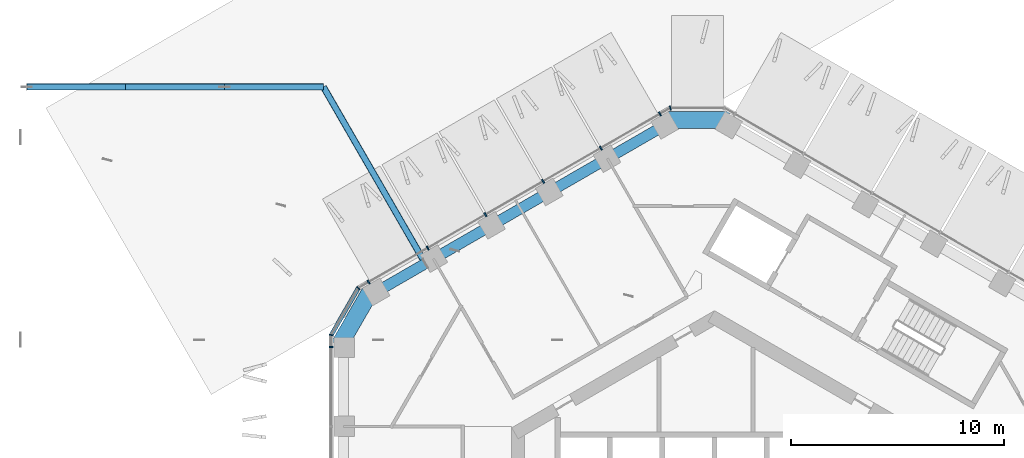
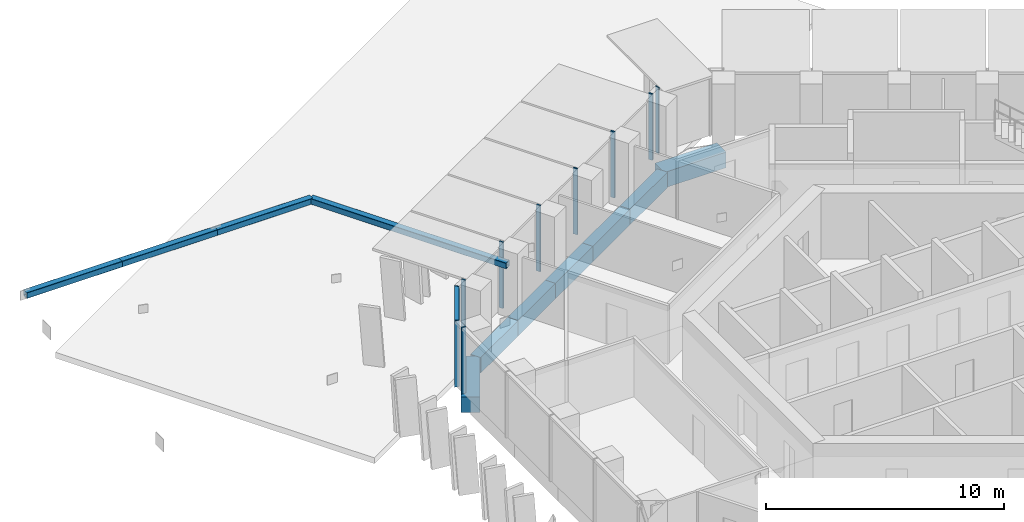
# One storey, part 4 of 23: 15 members, 7 beams, 4 elements without a shape of their own.
"""IFC4 building model written with IfcOpenShell, lengths in metres."""

from ifc_helpers import new_model, si_unit, direction, frame, origin, origin_2d, place, context, subcontext, project, spatial, rectangle, hollow_rectangle, extrude, material, layer, layer_set, material_profile, profile_set, type_object, element, aggregate, save


model = new_model("IFC4")

# Units and contexts
model_context = context("Model", 3, precision=1e-05, world=origin(), true_north=direction((0.0, 1.0)))
body_context = subcontext(model_context, "Body", "Model", "MODEL_VIEW")
ifc_project = project(units=[si_unit("LENGTHUNIT", "METRE"), si_unit("AREAUNIT", "SQUARE_METRE"), si_unit("VOLUMEUNIT", "CUBIC_METRE"), si_unit("PLANEANGLEUNIT", "RADIAN"), si_unit("MASSUNIT", "GRAM", prefix="KILO")], contexts=[model_context])

# Site, building, storey
site_placement = place(None, origin())
site = spatial("IfcSite", under=ifc_project, at=site_placement, CompositionType="ELEMENT")
building_placement = place(site_placement, origin())
building = spatial("IfcBuilding", under=site, at=building_placement, Name="Ayvan Gate Tower", CompositionType="ELEMENT")
storey_placement = place(building_placement, frame((0.0, 0.0, 198.699951171875)))
storey = spatial("IfcBuildingStorey", under=building, at=storey_placement, Name="L53", CompositionType="ELEMENT", Elevation=198.699951171875)

# Beams
ifc_material_1 = material(Name="Concrete C40/50", Category="concrete")
ifc_material_profile_1 = material_profile(ifc_material_1, rectangle(XDim=0.800048828125, YDim=0.800048828125, at=origin_2d()), Name="RC 800x800")
ifc_profile_set_1 = profile_set([ifc_material_profile_1], Name="Concrete C40/50")
beam_type_1 = type_object("IfcBeamType", Name="Corner spandrel beam RC 800x800 C40/50", PredefinedType="BEAM", material=ifc_profile_set_1)
for number, where, z_axis, x_axis, name in (
    (1, (0.710205078125, 19.89794921875, -0.75), (-1.0, 0.0, 0.0), (0.0, -1.0, 0.0), "SB-L53-12"),
    (2, (-16.087158203125, 11.93212890625, -0.75), (-0.499990139034, -0.866031096941, 0.0), (0.866031096941, -0.499990139034, 0.0), "SB-L53-18"),
):
    element("IfcBeam", number, at=place(storey_placement, frame(where, z_axis=z_axis, x_axis=x_axis)), inside=storey, type_object=beam_type_1, Name=name, PredefinedType="BEAM", context=body_context, shape_type="SweptSolid", body=[
        extrude(rectangle(XDim=0.800048828125, YDim=0.800048828125, at=origin_2d()), origin(), (0.0, 0.0, 1.0), 3.0),
    ])

# Members
ifc_material_2 = material(Name="Steel S460NH", Category="steel")
ifc_material_profile_2 = material_profile(ifc_material_2, hollow_rectangle(XDim=0.300048828125, YDim=0.300048828125, WallThickness=0.01611328125, InnerFilletRadius=0.01611328125, OuterFilletRadius=0.02392578125, at=origin_2d()), Name="RHS 300x300x16")
ifc_profile_set_2 = profile_set([ifc_material_profile_2], Name="Steel S460NH")
member_type_1 = type_object("IfcMemberType", Name="Sky bar truss brace B5 RHS 300x300x16", PredefinedType="BRACE", material=ifc_profile_set_2)
member_1_placement = place(storey_placement, frame((-13.546142578125, 13.17919921875, 2.699951171875), z_axis=(-0.499999627798, 0.866025618675, 0.0), x_axis=(-0.866025618675, -0.499999627798, 0.0)))
element("IfcMember", 3, at=member_1_placement, inside=storey, type_object=member_type_1, Name="SBX5-B-BC-1", PredefinedType="CHORD", context=body_context, shape_type="SweptSolid", body=[
    extrude(hollow_rectangle(XDim=0.300048828125, YDim=0.300048828125, WallThickness=0.01611328125, InnerFilletRadius=0.01611328125, OuterFilletRadius=0.02392578125, at=origin_2d()), origin(), (0.0, 0.0, 1.0), 9.55615234375),
])
for number, where, z_axis, x_axis, name in (
    (4, (-18.32421875, 21.455078125, 2.699951171875), (-1.0, 0.0, 0.0), (0.0, -1.0, 0.0), "SBX5-B-BC-2"),
    (5, (-22.95751953125, 21.455078125, 2.699951171875), (-1.0, 0.0, 0.0), (0.0, -1.0, 0.0), "SBX5-B-BC-3"),
):
    element("IfcMember", number, at=place(storey_placement, frame(where, z_axis=z_axis, x_axis=x_axis)), inside=storey, type_object=member_type_1, Name=name, PredefinedType="CHORD", context=body_context, shape_type="SweptSolid", body=[
        extrude(hollow_rectangle(XDim=0.300048828125, YDim=0.300048828125, WallThickness=0.01611328125, InnerFilletRadius=0.01611328125, OuterFilletRadius=0.02392578125, at=origin_2d()), origin(), (0.0, 0.0, 1.0), 4.63330078125),
    ])
member_2_placement = place(storey_placement, frame((-27.5908203125, 21.455078125, 2.699951171875), z_axis=(-1.0, 0.0, 0.0), x_axis=(0.0, -1.0, 0.0)))
element("IfcMember", 6, at=member_2_placement, inside=storey, type_object=member_type_1, Name="SBX5-B-BC-4", PredefinedType="CHORD", context=body_context, shape_type="SweptSolid", body=[
    extrude(hollow_rectangle(XDim=0.300048828125, YDim=0.300048828125, WallThickness=0.01611328125, InnerFilletRadius=0.01611328125, OuterFilletRadius=0.02392578125, at=origin_2d()), origin(), (0.0, 0.0, 1.0), 4.633544921875),
])

# Beams
ifc_material_profile_3 = material_profile(ifc_material_1, rectangle(XDim=0.5, YDim=0.800048828125, at=origin_2d()), Name="RC 500x800")
ifc_profile_set_3 = profile_set([ifc_material_profile_3], Name="Concrete C40/50")
beam_type_2 = type_object("IfcBeamType", Name="Spandrel beam RC 500x800 C40/50", PredefinedType="BEAM", material=ifc_profile_set_3)
beam_1_placement = place(storey_placement, frame((-2.289794921875, 19.677978515625, -0.75), z_axis=(-0.866016100244, -0.500016113858, 0.0), x_axis=(0.500016113858, -0.866016100244, 0.0)))
element("IfcBeam", 7, at=beam_1_placement, inside=storey, type_object=beam_type_2, Name="SB-L53-13", PredefinedType="BEAM", context=body_context, shape_type="SweptSolid", body=[
    extrude(rectangle(XDim=0.5, YDim=0.800048828125, at=origin_2d()), origin(), (0.0, 0.0, 1.0), 3.142578125),
])
for number, where, z_axis, x_axis, name in (
    (8, (-5.01123046875, 18.106689453125, -0.75), (-0.866049741291, -0.499957843833, 0.0), (0.499957843833, -0.866049741291, 0.0), "SB-L53-14"),
    (9, (-7.732666015625, 16.53564453125, -0.75), (-0.865996674405, -0.500049757444, 0.0), (0.500049757444, -0.865996674405, 0.0), "SB-L53-15"),
    (10, (-10.453857421875, 14.96435546875, -0.75), (-0.866049741291, -0.499957843833, 0.0), (0.499957843833, -0.866049741291, 0.0), "SB-L53-16"),
):
    element("IfcBeam", number, at=place(storey_placement, frame(where, z_axis=z_axis, x_axis=x_axis)), inside=storey, type_object=beam_type_2, Name=name, PredefinedType="BEAM", context=body_context, shape_type="SweptSolid", body=[
        extrude(rectangle(XDim=0.5, YDim=0.800048828125, at=origin_2d()), origin(), (0.0, 0.0, 1.0), 3.142333984375),
    ])
beam_2_placement = place(storey_placement, frame((-13.17529296875, 13.393310546875, -0.75), z_axis=(-0.866016100244, -0.500016113858, 0.0), x_axis=(0.500016113858, -0.866016100244, 0.0)))
element("IfcBeam", 11, at=beam_2_placement, inside=storey, type_object=beam_type_2, Name="SB-L53-17", PredefinedType="BEAM", context=body_context, shape_type="SweptSolid", body=[
    extrude(rectangle(XDim=0.5, YDim=0.800048828125, at=origin_2d()), origin(), (0.0, 0.0, 1.0), 3.142578125),
])

# Curtain wall, members
ifc_material_3 = material(Name="Bronze anodised aluminium", Category="aluminium")
ifc_layer_1 = layer(ifc_material_3, 0.199951171875)
ifc_layer_set_1 = layer_set([ifc_layer_1], Name="Bronze anodised aluminium")
curtain_wall_type_1 = type_object("IfcCurtainWallType", Name="Stick curtain wall CW-2", PredefinedType="NOTDEFINED", material=ifc_layer_set_1)
curtain_wall_1_placement = place(storey_placement, origin())
curtain_wall_1 = element("IfcCurtainWall", 12, at=curtain_wall_1_placement, inside=storey, type_object=curtain_wall_type_1, Name="Stick curtain wall CW-2 L53", PredefinedType="NOTDEFINED")
ifc_material_profile_4 = material_profile(ifc_material_3, rectangle(XDim=0.199951171875, YDim=0.070068359375, at=origin_2d()), Name="Stick curtain wall CW-2 mullion 200 x 70")
ifc_profile_set_4 = profile_set([ifc_material_profile_4], Name="Bronze anodised aluminium")
member_type_2 = type_object("IfcMemberType", Name="Stick curtain wall CW-2 mullion 200 x 70", PredefinedType="MULLION", material=ifc_profile_set_4)
member_3_placement = place(storey_placement, frame((-2.55517578125, 20.188720703125, 0.0), z_axis=(0.0, 0.0, 1.0), x_axis=(-0.5, 0.866025403784, 0.0)))
member_3 = element("IfcMember", 13, at=member_3_placement, type_object=member_type_2, Name="CW-2 mullion 1", PredefinedType="MULLION", context=body_context, shape_type="SweptSolid", body=[
    extrude(rectangle(XDim=0.199951171875, YDim=0.070068359375, at=origin_2d()), origin(), (0.0, 0.0, 1.0), 3.400146484375),
])
member_4_placement = place(storey_placement, frame((-5.32470703125, 18.589599609375, 0.0), z_axis=(0.0, 0.0, 1.0), x_axis=(-0.5, 0.866025403784, 0.0)))
member_4 = element("IfcMember", 14, at=member_4_placement, type_object=member_type_2, Name="CW-2 mullion 2", PredefinedType="MULLION", context=body_context, shape_type="SweptSolid", body=[
    extrude(rectangle(XDim=0.199951171875, YDim=0.070068359375, at=origin_2d()), origin(), (0.0, 0.0, 1.0), 3.400146484375),
])
member_5_placement = place(storey_placement, frame((-8.028564453125, 17.02880859375, 0.0), z_axis=(0.0, 0.0, 1.0), x_axis=(-0.5, 0.866025403784, 0.0)))
member_5 = element("IfcMember", 15, at=member_5_placement, type_object=member_type_2, Name="CW-2 mullion 3", PredefinedType="MULLION", context=body_context, shape_type="SweptSolid", body=[
    extrude(rectangle(XDim=0.199951171875, YDim=0.070068359375, at=origin_2d()), origin(), (0.0, 0.0, 1.0), 3.400146484375),
])
member_6_placement = place(storey_placement, frame((-10.733154296875, 15.46728515625, 0.0), z_axis=(0.0, 0.0, 1.0), x_axis=(-0.5, 0.866025403784, 0.0)))
member_6 = element("IfcMember", 16, at=member_6_placement, type_object=member_type_2, Name="CW-2 mullion 4", PredefinedType="MULLION", context=body_context, shape_type="SweptSolid", body=[
    extrude(rectangle(XDim=0.199951171875, YDim=0.070068359375, at=origin_2d()), origin(), (0.0, 0.0, 1.0), 3.400146484375),
])
member_7_placement = place(storey_placement, frame((-13.436767578125, 13.90625, 0.0), z_axis=(0.0, 0.0, 1.0), x_axis=(-0.5, 0.866025403784, 0.0)))
member_7 = element("IfcMember", 17, at=member_7_placement, type_object=member_type_2, Name="CW-2 mullion 5", PredefinedType="MULLION", context=body_context, shape_type="SweptSolid", body=[
    extrude(rectangle(XDim=0.199951171875, YDim=0.070068359375, at=origin_2d()), origin(), (0.0, 0.0, 1.0), 3.400146484375),
])
member_8_placement = place(storey_placement, frame((-16.206298828125, 12.30712890625, 0.0), z_axis=(0.0, 0.0, 1.0), x_axis=(-0.5, 0.866025403784, 0.0)))
member_8 = element("IfcMember", 18, at=member_8_placement, type_object=member_type_2, Name="CW-2 mullion 6", PredefinedType="MULLION", context=body_context, shape_type="SweptSolid", body=[
    extrude(rectangle(XDim=0.199951171875, YDim=0.070068359375, at=origin_2d()), origin(), (0.0, 0.0, 1.0), 3.400146484375),
])
aggregate(curtain_wall_1, [member_3, member_4, member_5, member_6, member_7, member_8])

# Curtain wall, member
curtain_wall_2_placement = place(storey_placement, origin())
curtain_wall_2 = element("IfcCurtainWall", 19, at=curtain_wall_2_placement, inside=storey, type_object=curtain_wall_type_1, Name="Stick curtain wall CW-2 L53", PredefinedType="NOTDEFINED")
member_9_placement = place(storey_placement, frame((-17.95849609375, 9.272216796875, 0.0), z_axis=(0.0, 0.0, 1.0), x_axis=(-1.0, 0.0, 0.0)))
member_9 = element("IfcMember", 20, at=member_9_placement, type_object=member_type_2, Name="CW-2 mullion 1", PredefinedType="MULLION", context=body_context, shape_type="SweptSolid", body=[
    extrude(rectangle(XDim=0.199951171875, YDim=0.070068359375, at=origin_2d()), origin(), (0.0, 0.0, 1.0), 3.400146484375),
])
aggregate(curtain_wall_2, [member_9])

# Curtain wall, members
ifc_layer_2 = layer(ifc_material_3, 0.199951171875)
ifc_layer_set_2 = layer_set([ifc_layer_2], Name="Bronze anodised aluminium")
curtain_wall_type_2 = type_object("IfcCurtainWallType", Name="Stick curtain wall CW-6", PredefinedType="NOTDEFINED", material=ifc_layer_set_2)
curtain_wall_3_placement = place(storey_placement, origin())
curtain_wall_3 = element("IfcCurtainWall", 21, at=curtain_wall_3_placement, inside=storey, type_object=curtain_wall_type_2, Name="Stick curtain wall CW-6 L53", PredefinedType="NOTDEFINED")
ifc_material_profile_5 = material_profile(ifc_material_3, rectangle(XDim=0.199951171875, YDim=0.050048828125, at=origin_2d()), Name="Stick curtain wall CW-6 mullion 200 x 50")
ifc_profile_set_5 = profile_set([ifc_material_profile_5], Name="Bronze anodised aluminium")
member_type_3 = type_object("IfcMemberType", Name="Stick curtain wall CW-6 mullion 200 x 50", PredefinedType="MULLION", material=ifc_profile_set_5)
member_10_placement = place(storey_placement, frame((-16.69140625, 12.027099609375, 0.0), z_axis=(0.0, 0.0, 1.0), x_axis=(-0.707106781187, 0.707106781187, 0.0)))
member_10 = element("IfcMember", 22, at=member_10_placement, type_object=member_type_3, Name="CW-6 mullion 2", PredefinedType="MULLION", context=body_context, shape_type="SweptSolid", body=[
    extrude(rectangle(XDim=0.199951171875, YDim=0.050048828125, at=origin_2d()), origin(), (0.0, 0.0, 1.0), 3.400146484375),
])
member_11_placement = place(storey_placement, frame((-17.95849609375, 9.832275390625, 0.0), z_axis=(0.0, 0.0, 1.0), x_axis=(-0.965925826289, 0.258819045103, 0.0)))
member_11 = element("IfcMember", 23, at=member_11_placement, type_object=member_type_3, Name="CW-6 mullion 3", PredefinedType="MULLION", context=body_context, shape_type="SweptSolid", body=[
    extrude(rectangle(XDim=0.199951171875, YDim=0.050048828125, at=origin_2d()), origin(), (0.0, 0.0, 1.0), 3.400146484375),
])

# Curtain wall, member
curtain_wall_4_placement = place(storey_placement, origin())
curtain_wall_4 = element("IfcCurtainWall", 24, at=curtain_wall_4_placement, inside=storey, type_object=curtain_wall_type_2, Name="Stick curtain wall CW-6 L53", PredefinedType="NOTDEFINED")
member_12_placement = place(storey_placement, frame((-2.0703125, 20.46875, 0.0), z_axis=(0.0, 0.0, 1.0), x_axis=(-0.258819045103, 0.965925826289, 0.0)))
member_12 = element("IfcMember", 25, at=member_12_placement, type_object=member_type_3, Name="CW-6 mullion 3", PredefinedType="MULLION", context=body_context, shape_type="SweptSolid", body=[
    extrude(rectangle(XDim=0.199951171875, YDim=0.050048828125, at=origin_2d()), origin(), (0.0, 0.0, 1.0), 3.400146484375),
])
aggregate(curtain_wall_4, [member_12])

# Member
ifc_material_profile_6 = material_profile(ifc_material_3, rectangle(XDim=0.199951171875, YDim=0.1201171875, at=origin_2d()), Name="Stick curtain wall CW-6 transom 200 x 120")
ifc_profile_set_6 = profile_set([ifc_material_profile_6], Name="Bronze anodised aluminium")
member_type_4 = type_object("IfcMemberType", Name="Stick curtain wall CW-6 transom 200 x 120", PredefinedType="USERDEFINED", material=ifc_profile_set_6)
member_13_placement = place(storey_placement, frame((-16.703857421875, 12.005615234375, 3.340087890625), z_axis=(-0.499943602543, -0.866057962423, 0.0), x_axis=(0.866057962423, -0.499943602543, 0.0)))
member_13 = element("IfcMember", 26, at=member_13_placement, type_object=member_type_4, Name="CW-6 transom 2", ObjectType="TRANSOM", PredefinedType="USERDEFINED", context=body_context, shape_type="SweptSolid", body=[
    extrude(rectangle(XDim=0.199951171875, YDim=0.1201171875, at=origin_2d()), origin(), (0.0, 0.0, 1.0), 2.484619140625),
])

aggregate(curtain_wall_3, [member_10, member_11, member_13])

save(model, "model.ifc")
